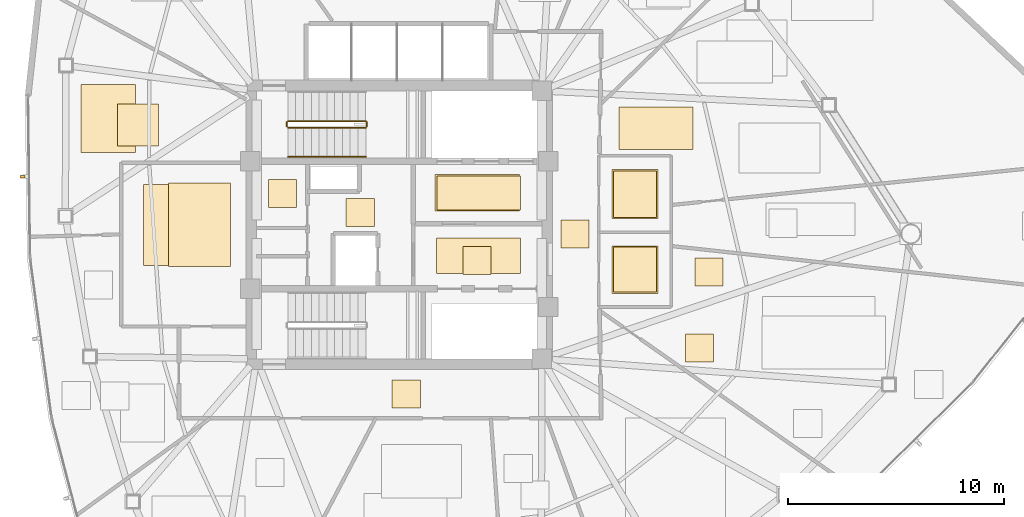
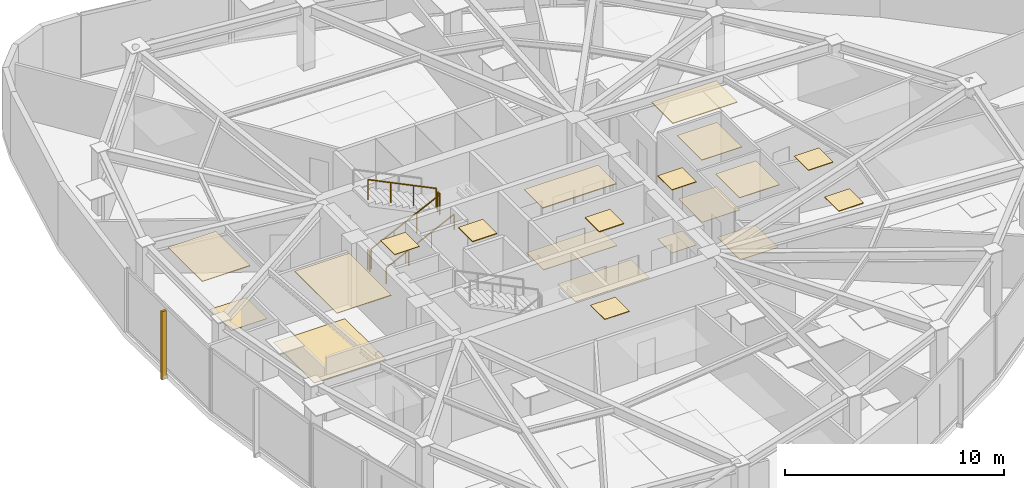
# One storey, part 16 of 18: 20 coverings, 5 railings, 1 shading device.
"""IFC4 building model written with IfcOpenShell, lengths in metres."""

from ifc_helpers import new_model, si_unit, direction, frame, origin, origin_2d, place, context, subcontext, project, spatial, polyline, rectangle, outline, extrude, source, transform, mapped, material, layer, layer_set, type_object, type_shapes, element, save


model = new_model("IFC4")

# Units and contexts
model_context = context("Model", 3, precision=1e-05, world=origin(), true_north=direction((0.0, 1.0)))
body_context = subcontext(model_context, "Body", "Model", "MODEL_VIEW")
ifc_project = project(units=[si_unit("LENGTHUNIT", "METRE"), si_unit("AREAUNIT", "SQUARE_METRE"), si_unit("VOLUMEUNIT", "CUBIC_METRE"), si_unit("PLANEANGLEUNIT", "RADIAN"), si_unit("MASSUNIT", "GRAM", prefix="KILO")], contexts=[model_context])

# Site, building, storey
site_placement = place(None, origin())
site = spatial("IfcSite", under=ifc_project, at=site_placement, CompositionType="ELEMENT")
building_placement = place(site_placement, origin())
building = spatial("IfcBuilding", under=site, at=building_placement, Name="Tavelor Broadcast Tower", CompositionType="ELEMENT")
storey_placement = place(building_placement, frame((0.0, 0.0, 177.199951171875)))
storey = spatial("IfcBuildingStorey", under=building, at=storey_placement, Name="L42", CompositionType="ELEMENT", Elevation=177.199951171875)

# Coverings
ifc_material_1 = material(Name="Copper-Bronze Anodized Aluminium", Category="aluminium")
ifc_layer_1 = layer(ifc_material_1, 0.044921875)
ifc_layer_set_1 = layer_set([ifc_layer_1], Name="Copper-Bronze Anodized Aluminium")
covering_type_1 = type_object("IfcCoveringType", Name="Anodised Bronze Linear Slatted Concourse Ceiling 45 mm", PredefinedType="CEILING", material=ifc_layer_set_1)
covering_1_placement = place(storey_placement, frame((0.0, 0.0, 3.505126953125)))
element("IfcCovering", 1, at=covering_1_placement, inside=storey, type_object=covering_type_1, Name="L42 Suspended Acoustic Ceiling 1733", PredefinedType="CEILING", context=body_context, shape_type="SweptSolid", body=[
    extrude(outline(polyline([(51.659912109375, 45.6318359375), (55.55712890625, 45.6318359375), (55.55712890625, 47.328125), (51.659912109375, 47.328125), (51.659912109375, 45.6318359375)])), origin(), (0.0, 0.0, 1.0), 0.044921875),
])
covering_2_placement = place(storey_placement, frame((0.0, 0.0, 3.505126953125)))
element("IfcCovering", 2, at=covering_2_placement, inside=storey, type_object=covering_type_1, Name="L42 Suspended Acoustic Ceiling 1734", PredefinedType="CEILING", context=body_context, shape_type="SweptSolid", body=[
    extrude(outline(polyline([(52.95361328125, 42.705078125), (54.25341796875, 42.705078125), (54.25341796875, 44.0048828125), (52.95361328125, 44.0048828125), (52.95361328125, 42.705078125)])), origin(), (0.0, 0.0, 1.0), 0.044921875),
])
covering_3_placement = place(storey_placement, frame((0.0, 0.0, 3.505126953125)))
element("IfcCovering", 3, at=covering_3_placement, inside=storey, type_object=covering_type_1, Name="L42 Suspended Acoustic Ceiling 1735", PredefinedType="CEILING", context=body_context, shape_type="SweptSolid", body=[
    extrude(outline(polyline([(47.544921875, 44.919921875), (48.844970703125, 44.919921875), (48.844970703125, 46.219970703125), (47.544921875, 46.219970703125), (47.544921875, 44.919921875)])), origin(), (0.0, 0.0, 1.0), 0.044921875),
])

# Railing
ifc_material_2 = material(Name="Steel S355", Category="steel")
railing_type_1 = type_object("IfcRailingType", Name="Continuous Brushed Stainless Handrail 900 mm", PredefinedType="HANDRAIL", material=ifc_material_2)
railing_1_placement = place(storey_placement, frame((44.85009765625, 48.14990234375, 0.175048828125)))
element("IfcRailing", 4, at=railing_1_placement, inside=storey, type_object=railing_type_1, Name="L42 ST1 stair handrail 1", PredefinedType="HANDRAIL", context=body_context, shape_type="SweptSolid", body=[
    extrude(rectangle(XDim=0.048095703125, YDim=0.048095703125, at=origin_2d()), frame((0.0, 0.0, 0.8759765625), z_axis=(0.899360859046, 0.0, 0.437207096483), x_axis=(0.0, 1.0, 0.0)), (0.0, 0.0, 1.0), 4.002685546875),
    extrude(rectangle(XDim=0.0419921875, YDim=0.0419921875, at=origin_2d()), origin(), (0.0, 0.0, 1.0), 0.851806640625),
    extrude(rectangle(XDim=0.0419921875, YDim=0.0419921875, at=origin_2d()), frame((1.199951171875, 0.0, 0.583251953125)), (0.0, 0.0, 1.0), 0.851806640625),
    extrude(rectangle(XDim=0.0419921875, YDim=0.0419921875, at=origin_2d()), frame((2.39990234375, 0.0, 1.166748046875)), (0.0, 0.0, 1.0), 0.851806640625),
    extrude(rectangle(XDim=0.0419921875, YDim=0.0419921875, at=origin_2d()), frame((3.599853515625, 0.0, 1.75)), (0.0, 0.0, 1.0), 0.851806640625),
])

# Coverings
ifc_material_3 = material(Name="Architectural Anodized Aluminium", Category="aluminium")
ifc_layer_2 = layer(ifc_material_3, 0.034912109375)
ifc_layer_set_2 = layer_set([ifc_layer_2], Name="Architectural Anodized Aluminium")
covering_type_2 = type_object("IfcCoveringType", Name="Demountable Metal Tile Corridor Ceiling 35 mm", PredefinedType="CEILING", material=ifc_layer_set_2)
covering_4_placement = place(storey_placement, frame((0.0, 0.0, 3.51513671875)))
element("IfcCovering", 5, at=covering_4_placement, inside=storey, type_object=covering_type_2, Name="L42 Suspended Acoustic Ceiling 1737", PredefinedType="CEILING", context=body_context, shape_type="SweptSolid", body=[
    extrude(outline(polyline([(57.489990234375, 43.925048828125), (58.7900390625, 43.925048828125), (58.7900390625, 45.22509765625), (57.489990234375, 45.22509765625), (57.489990234375, 43.925048828125)])), origin(), (0.0, 0.0, 1.0), 0.034912109375),
])
covering_5_placement = place(storey_placement, frame((0.0, 0.0, 3.51513671875)))
element("IfcCovering", 6, at=covering_5_placement, inside=storey, type_object=covering_type_2, Name="L42 Suspended Acoustic Ceiling 1738", PredefinedType="CEILING", context=body_context, shape_type="SweptSolid", body=[
    extrude(outline(polyline([(49.6748046875, 36.52490234375), (50.974609375, 36.52490234375), (50.974609375, 37.824951171875), (49.6748046875, 37.824951171875), (49.6748046875, 36.52490234375)])), origin(), (0.0, 0.0, 1.0), 0.034912109375),
])
ifc_material_4 = material(Name="Acoustic Nylon Carpet Tile")
ifc_layer_3 = layer(ifc_material_4, 0.02001953125)
ifc_layer_set_3 = layer_set([ifc_layer_3], Name="Acoustic Nylon Carpet Tile")
covering_type_3 = type_object("IfcCoveringType", Name="Heavy-Duty Acoustic Broadcast Carpet Tile 20 mm", PredefinedType="FLOORING", material=ifc_layer_set_3)
covering_6_placement = place(storey_placement, origin())
element("IfcCovering", 7, at=covering_6_placement, inside=storey, type_object=covering_type_3, Name="L42 Broadcast Floor Finish 0614", PredefinedType="FLOORING", context=body_context, shape_type="SweptSolid", body=[
    extrude(outline(polyline([(57.489990234375, 43.925048828125), (58.7900390625, 43.925048828125), (58.7900390625, 45.22509765625), (57.489990234375, 45.22509765625), (57.489990234375, 43.925048828125)])), origin(), (0.0, 0.0, 1.0), 0.02001953125),
])
covering_7_placement = place(storey_placement, origin())
element("IfcCovering", 8, at=covering_7_placement, inside=storey, type_object=covering_type_3, Name="L42 Broadcast Floor Finish 0615", PredefinedType="FLOORING", context=body_context, shape_type="SweptSolid", body=[
    extrude(outline(polyline([(38.15771484375, 43.12890625), (41.942138671875, 43.12890625), (41.942138671875, 46.87060546875), (38.15771484375, 46.87060546875), (38.15771484375, 43.12890625)])), origin(), (0.0, 0.0, 1.0), 0.02001953125),
])
covering_8_placement = place(storey_placement, origin())
element("IfcCovering", 9, at=covering_8_placement, inside=storey, type_object=covering_type_3, Name="L42 Broadcast Floor Finish 0623", PredefinedType="FLOORING", context=body_context, shape_type="SweptSolid", body=[
    extrude(outline(polyline([(36.96044921875, 48.655029296875), (38.8662109375, 48.655029296875), (38.8662109375, 50.59619140625), (36.96044921875, 50.59619140625), (36.96044921875, 48.655029296875)])), origin(), (0.0, 0.0, 1.0), 0.02001953125),
])
ifc_material_5 = material(Name="Honed Natural Limestone Tile", Category="masonry")
ifc_layer_4 = layer(ifc_material_5, 0.030029296875)
ifc_layer_set_4 = layer_set([ifc_layer_4], Name="Honed Natural Limestone Tile")
covering_type_4 = type_object("IfcCoveringType", Name="Honed Jerusalem Limestone Concourse Flooring 30 mm", PredefinedType="FLOORING", material=ifc_layer_set_4)
covering_9_placement = place(storey_placement, origin())
element("IfcCovering", 10, at=covering_9_placement, inside=storey, type_object=covering_type_4, Name="L42 Broadcast Floor Finish 0612", PredefinedType="FLOORING", context=body_context, shape_type="SweptSolid", body=[
    extrude(outline(polyline([(51.7373046875, 45.689453125), (55.62255859375, 45.689453125), (55.62255859375, 47.2705078125), (51.7373046875, 47.2705078125), (51.7373046875, 45.689453125)])), origin(), (0.0, 0.0, 1.0), 0.030029296875),
])
covering_10_placement = place(storey_placement, origin())
element("IfcCovering", 11, at=covering_10_placement, inside=storey, type_object=covering_type_4, Name="L42 Broadcast Floor Finish 0613", PredefinedType="FLOORING", context=body_context, shape_type="SweptSolid", body=[
    extrude(outline(polyline([(51.728759765625, 42.743408203125), (55.62109375, 42.743408203125), (55.62109375, 44.396484375), (51.728759765625, 44.396484375), (51.728759765625, 42.743408203125)])), origin(), (0.0, 0.0, 1.0), 0.030029296875),
])
ifc_layer_5 = layer(ifc_material_3, 0.030029296875)
ifc_layer_set_5 = layer_set([ifc_layer_5], Name="Architectural Anodized Aluminium")
covering_type_5 = type_object("IfcCoveringType", Name="Moisture-Resistant Washroom Ceiling 30 mm", PredefinedType="CEILING", material=ifc_layer_set_5)
covering_11_placement = place(storey_placement, frame((0.0, 0.0, 3.52001953125)))
element("IfcCovering", 12, at=covering_11_placement, inside=storey, type_object=covering_type_5, Name="L42 Suspended Acoustic Ceiling 1736", PredefinedType="CEILING", context=body_context, shape_type="SweptSolid", body=[
    extrude(outline(polyline([(43.951416015625, 45.794921875), (45.25146484375, 45.794921875), (45.25146484375, 47.094970703125), (43.951416015625, 47.094970703125), (43.951416015625, 45.794921875)])), origin(), (0.0, 0.0, 1.0), 0.030029296875),
])
covering_12_placement = place(storey_placement, frame((0.0, 0.0, 3.52001953125)))
element("IfcCovering", 13, at=covering_12_placement, inside=storey, type_object=covering_type_5, Name="L42 Suspended Acoustic Ceiling 1740", PredefinedType="CEILING", context=body_context, shape_type="SweptSolid", body=[
    extrude(outline(polyline([(59.85302734375, 41.828369140625), (61.967041015625, 41.828369140625), (61.967041015625, 44.021484375), (59.85302734375, 44.021484375), (59.85302734375, 41.828369140625)])), origin(), (0.0, 0.0, 1.0), 0.030029296875),
])
covering_13_placement = place(storey_placement, frame((0.0, 0.0, 3.52001953125)))
element("IfcCovering", 14, at=covering_13_placement, inside=storey, type_object=covering_type_5, Name="L42 Suspended Acoustic Ceiling 1741", PredefinedType="CEILING", context=body_context, shape_type="SweptSolid", body=[
    extrude(outline(polyline([(59.85302734375, 45.29248046875), (61.967041015625, 45.29248046875), (61.967041015625, 47.5576171875), (59.85302734375, 47.5576171875), (59.85302734375, 45.29248046875)])), origin(), (0.0, 0.0, 1.0), 0.030029296875),
])
ifc_material_6 = material(Name="Slip-Resistant Porcelain Tile")
ifc_layer_6 = layer(ifc_material_6, 0.02490234375)
ifc_layer_set_6 = layer_set([ifc_layer_6], Name="Slip-Resistant Porcelain Tile")
covering_type_6 = type_object("IfcCoveringType", Name="Slip-Resistant Porcelain Wet-Area Floor Tile 25 mm", PredefinedType="FLOORING", material=ifc_layer_set_6)
covering_14_placement = place(storey_placement, origin())
element("IfcCovering", 15, at=covering_14_placement, inside=storey, type_object=covering_type_6, Name="L42 Broadcast Floor Finish 0616", PredefinedType="FLOORING", context=body_context, shape_type="SweptSolid", body=[
    extrude(outline(polyline([(59.91064453125, 41.885986328125), (61.909423828125, 41.885986328125), (61.909423828125, 43.964111328125), (59.91064453125, 43.964111328125), (59.91064453125, 41.885986328125)])), origin(), (0.0, 0.0, 1.0), 0.025146484375),
])
covering_15_placement = place(storey_placement, origin())
element("IfcCovering", 16, at=covering_15_placement, inside=storey, type_object=covering_type_6, Name="L42 Broadcast Floor Finish 0617", PredefinedType="FLOORING", context=body_context, shape_type="SweptSolid", body=[
    extrude(outline(polyline([(59.91064453125, 45.35009765625), (61.909423828125, 45.35009765625), (61.909423828125, 47.5), (59.91064453125, 47.5), (59.91064453125, 45.35009765625)])), origin(), (0.0, 0.0, 1.0), 0.025146484375),
])

# Railings
railing_type_2 = type_object("IfcRailingType", Name="Stairwell Steel Safety Guardrail 1150 mm", PredefinedType="GUARDRAIL", material=ifc_material_2)
railing_2_placement = place(storey_placement, frame((44.85009765625, 49.5, 0.175048828125)))
element("IfcRailing", 17, at=railing_2_placement, inside=storey, type_object=railing_type_2, Name="L42 ST1 stair guard 1", PredefinedType="GUARDRAIL", context=body_context, shape_type="SweptSolid", body=[
    extrude(rectangle(XDim=0.048095703125, YDim=0.048095703125, at=origin_2d()), frame((0.0, 0.0, 1.1259765625), z_axis=(0.899360859046, 0.0, 0.437207096483), x_axis=(0.0, 1.0, 0.0)), (0.0, 0.0, 1.0), 4.002685546875),
    extrude(rectangle(XDim=0.0419921875, YDim=0.0419921875, at=origin_2d()), origin(), (0.0, 0.0, 1.0), 1.101806640625),
    extrude(rectangle(XDim=0.0419921875, YDim=0.0419921875, at=origin_2d()), frame((1.199951171875, 0.0, 0.583251953125)), (0.0, 0.0, 1.0), 1.101806640625),
    extrude(rectangle(XDim=0.0419921875, YDim=0.0419921875, at=origin_2d()), frame((2.39990234375, 0.0, 1.166748046875)), (0.0, 0.0, 1.0), 1.101806640625),
    extrude(rectangle(XDim=0.0419921875, YDim=0.0419921875, at=origin_2d()), frame((3.599853515625, 0.0, 1.75)), (0.0, 0.0, 1.0), 1.101806640625),
])
railing_3_placement = place(storey_placement, frame((48.5, 49.550048828125, 1.925048828125)))
element("IfcRailing", 18, at=railing_3_placement, inside=storey, type_object=railing_type_2, Name="L42 ST1 stair guard 2", PredefinedType="GUARDRAIL", context=body_context, shape_type="SweptSolid", body=[
    extrude(rectangle(XDim=0.048095703125, YDim=0.048095703125, at=origin_2d()), frame((0.0, 0.0, 1.1259765625), z_axis=(0.0, 1.0, 0.0), x_axis=(-1.0, 0.0, 0.0)), (0.0, 0.0, 1.0), 0.199951171875),
    extrude(rectangle(XDim=0.0419921875, YDim=0.0419921875, at=origin_2d()), origin(), (0.0, 0.0, 1.0), 1.101806640625),
    extrude(rectangle(XDim=0.0419921875, YDim=0.0419921875, at=origin_2d()), frame((0.0, 0.199951171875, 0.0)), (0.0, 0.0, 1.0), 1.101806640625),
])
railing_4_placement = place(storey_placement, frame((48.449951171875, 49.800048828125, 2.10009765625)))
element("IfcRailing", 19, at=railing_4_placement, inside=storey, type_object=railing_type_2, Name="L42 ST1 stair guard 3", PredefinedType="GUARDRAIL", context=body_context, shape_type="SweptSolid", body=[
    extrude(rectangle(XDim=0.048095703125, YDim=0.048095703125, at=origin_2d()), frame((0.0, 0.0, 1.1259765625), z_axis=(-0.899360859046, 0.0, 0.437207096483), x_axis=(0.0, -1.0, 0.0)), (0.0, 0.0, 1.0), 4.002685546875),
    extrude(rectangle(XDim=0.0419921875, YDim=0.0419921875, at=origin_2d()), origin(), (0.0, 0.0, 1.0), 1.101806640625),
    extrude(rectangle(XDim=0.0419921875, YDim=0.0419921875, at=origin_2d()), frame((-1.199951171875, 0.0, 0.583251953125)), (0.0, 0.0, 1.0), 1.101806640625),
    extrude(rectangle(XDim=0.0419921875, YDim=0.0419921875, at=origin_2d()), frame((-2.39990234375, 0.0, 1.166748046875)), (0.0, 0.0, 1.0), 1.101806640625),
    extrude(rectangle(XDim=0.0419921875, YDim=0.0419921875, at=origin_2d()), frame((-3.599853515625, 0.0, 1.75)), (0.0, 0.0, 1.0), 1.101806640625),
])
railing_5_placement = place(storey_placement, frame((44.800048828125, 49.550048828125, 0.0)))
element("IfcRailing", 20, at=railing_5_placement, inside=storey, type_object=railing_type_2, Name="L42 ST1 stair guard 4", PredefinedType="GUARDRAIL", context=body_context, shape_type="SweptSolid", body=[
    extrude(rectangle(XDim=0.048095703125, YDim=0.048095703125, at=origin_2d()), frame((0.0, 0.0, 1.1259765625), z_axis=(0.0, 1.0, 0.0), x_axis=(-1.0, 0.0, 0.0)), (0.0, 0.0, 1.0), 0.199951171875),
    extrude(rectangle(XDim=0.0419921875, YDim=0.0419921875, at=origin_2d()), origin(), (0.0, 0.0, 1.0), 1.101806640625),
    extrude(rectangle(XDim=0.0419921875, YDim=0.0419921875, at=origin_2d()), frame((0.0, 0.199951171875, 0.0)), (0.0, 0.0, 1.0), 1.101806640625),
])

# Coverings
ifc_material_7 = material(Name="Acoustic Mineral Fibre Tile")
ifc_layer_7 = layer(ifc_material_7, 0.0400390625)
ifc_layer_set_7 = layer_set([ifc_layer_7], Name="Acoustic Mineral Fibre Tile")
covering_type_7 = type_object("IfcCoveringType", Name="Suspended Acoustic Mineral-Fibre Office Ceiling 40 mm", PredefinedType="CEILING", material=ifc_layer_set_7)
covering_16_placement = place(storey_placement, frame((0.0, 0.0, 3.510009765625)))
element("IfcCovering", 21, at=covering_16_placement, inside=storey, type_object=covering_type_7, Name="L42 Suspended Acoustic Ceiling 1739", PredefinedType="CEILING", context=body_context, shape_type="SweptSolid", body=[
    extrude(outline(polyline([(39.321533203125, 43.0712890625), (42.198486328125, 43.0712890625), (42.198486328125, 46.927978515625), (39.321533203125, 46.927978515625), (39.321533203125, 43.0712890625)])), origin(), (0.0, 0.0, 1.0), 0.0400390625),
])
covering_17_placement = place(storey_placement, frame((0.0, 0.0, 3.510009765625)))
element("IfcCovering", 22, at=covering_17_placement, inside=storey, type_object=covering_type_7, Name="L42 Suspended Acoustic Ceiling 1755", PredefinedType="CEILING", context=body_context, shape_type="SweptSolid", body=[
    extrude(outline(polyline([(35.262451171875, 48.340087890625), (37.79638671875, 48.340087890625), (37.79638671875, 51.48828125), (35.262451171875, 51.48828125), (35.262451171875, 48.340087890625)])), origin(), (0.0, 0.0, 1.0), 0.0400390625),
])
covering_18_placement = place(storey_placement, frame((0.0, 0.0, 3.510009765625)))
element("IfcCovering", 23, at=covering_18_placement, inside=storey, type_object=covering_type_7, Name="L42 Suspended Acoustic Ceiling 1766", PredefinedType="CEILING", context=body_context, shape_type="SweptSolid", body=[
    extrude(outline(polyline([(60.178955078125, 48.490478515625), (63.59228515625, 48.490478515625), (63.59228515625, 50.44580078125), (60.178955078125, 50.44580078125), (60.178955078125, 48.490478515625)])), origin(), (0.0, 0.0, 1.0), 0.0400390625),
])
covering_19_placement = place(storey_placement, frame((0.0, 0.0, 3.510009765625)))
element("IfcCovering", 24, at=covering_19_placement, inside=storey, type_object=covering_type_7, Name="L42 Suspended Acoustic Ceiling 1774", PredefinedType="CEILING", context=body_context, shape_type="SweptSolid", body=[
    extrude(outline(polyline([(63.24658203125, 38.648193359375), (64.546630859375, 38.648193359375), (64.546630859375, 39.9482421875), (63.24658203125, 39.9482421875), (63.24658203125, 38.648193359375)])), origin(), (0.0, 0.0, 1.0), 0.0400390625),
])
covering_20_placement = place(storey_placement, frame((0.0, 0.0, 3.510009765625)))
element("IfcCovering", 25, at=covering_20_placement, inside=storey, type_object=covering_type_7, Name="L42 Suspended Acoustic Ceiling 1775", PredefinedType="CEILING", context=body_context, shape_type="SweptSolid", body=[
    extrude(outline(polyline([(63.677001953125, 42.16455078125), (64.976806640625, 42.16455078125), (64.976806640625, 43.464599609375), (63.677001953125, 43.464599609375), (63.677001953125, 42.16455078125)])), origin(), (0.0, 0.0, 1.0), 0.0400390625),
])

# Shading device
ifc_material_8 = material(Name="Kiln-Fired Glazed Terracotta", Category="masonry")
shading_device_type = type_object("IfcShadingDeviceType", Name="Extruded Terracotta Baguette Sun-Screen 110x240", PredefinedType="JALOUSIE", material=ifc_material_8)
shared_shape = source(origin(), body_context, "Body", "SweptSolid", [
    extrude(rectangle(XDim=0.110107421875, YDim=0.239990234375, at=origin_2d()), origin(), (0.0, 0.0, 1.0), 3.7900390625),
])
type_shapes(shading_device_type, [shared_shape])
shading_device_placement = place(storey_placement, frame((32.569580078125, 47.229248046875, -0.260009765625), z_axis=(0.0, 0.0, 1.0), x_axis=(0.012740558836, -0.999918835786, 0.0)))
element("IfcShadingDevice", 26, at=shading_device_placement, inside=storey, type_object=shading_device_type, Name="L42 Terracotta Baguette Fin 433", PredefinedType="JALOUSIE", context=body_context, shape_type="MappedRepresentation", body=[
    mapped(shared_shape, transform((0.0, 0.0, 0.0), scale=1.0)),
])

save(model, "model.ifc")
